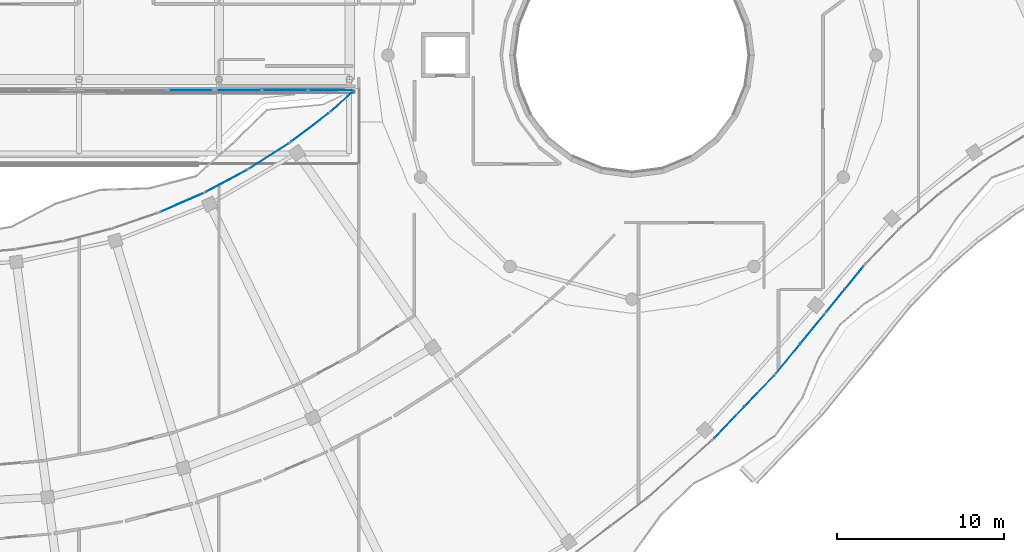
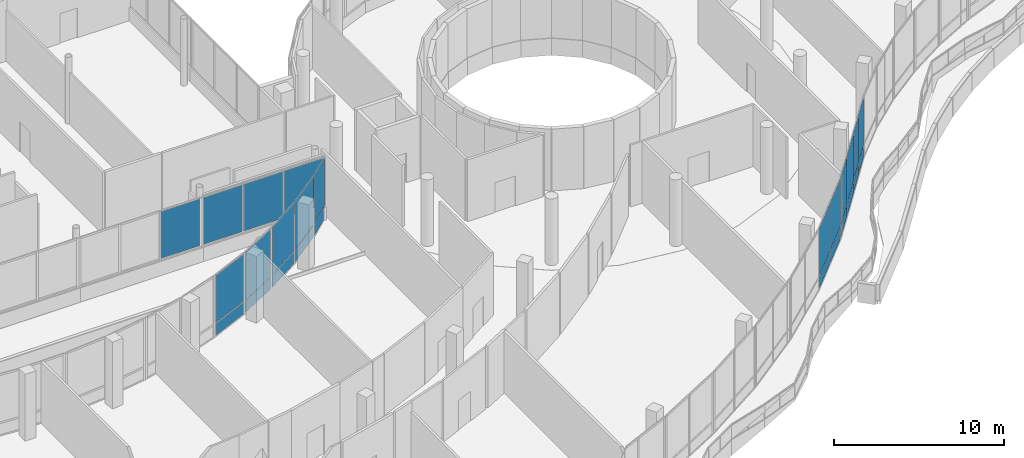
# One storey, part 128 of 168: 26 plates, 10 elements without a shape of their own.
"""IFC4 building model written with IfcOpenShell, lengths in metres."""

from ifc_helpers import new_model, si_unit, direction, frame, origin, origin_2d, place, context, subcontext, project, spatial, rectangle, extrude, material, layer, layer_set, type_object, element, aggregate, save


model = new_model("IFC4")

# Units and contexts
model_context = context("Model", 3, precision=1e-05, world=origin(), true_north=direction((0.0, 1.0)))
body_context = subcontext(model_context, "Body", "Model", "MODEL_VIEW")
ifc_project = project(units=[si_unit("LENGTHUNIT", "METRE"), si_unit("AREAUNIT", "SQUARE_METRE"), si_unit("VOLUMEUNIT", "CUBIC_METRE"), si_unit("PLANEANGLEUNIT", "RADIAN"), si_unit("MASSUNIT", "GRAM", prefix="KILO")], contexts=[model_context])

# Site, building, storey
site_placement = place(None, origin())
site = spatial("IfcSite", under=ifc_project, at=site_placement, CompositionType="ELEMENT")
building_placement = place(site_placement, origin())
building = spatial("IfcBuilding", under=site, at=building_placement, Name="Selatvlak General Hospital", CompositionType="ELEMENT")
storey_placement = place(building_placement, frame((0.0, 0.0, 5.39990234375)))
storey = spatial("IfcBuildingStorey", under=building, at=storey_placement, Name="L01", CompositionType="ELEMENT", Elevation=5.39990234375)

# Curtain wall, plates
ifc_material = material(Name="Solar-control Low-E double glazing", Category="glass")
curtain_wall_type_1 = type_object("IfcCurtainWallType", Name="CW-CW-01", PredefinedType="USERDEFINED", material=ifc_material)
curtain_wall_1_placement = place(storey_placement, origin())
curtain_wall_1 = element("IfcCurtainWall", 1, at=curtain_wall_1_placement, inside=storey, type_object=curtain_wall_type_1, Name="Glazed facade curtain wall CW-L01-0163", ObjectType="UNITISED CURTAIN WALL", PredefinedType="USERDEFINED")
ifc_layer = layer(ifc_material, 0.028076171875, Name="Solar-control Low-E double glazing", Category="glass")
ifc_layer_set = layer_set([ifc_layer], Name="Solar-control Low-E double glazing")
plate_type = type_object("IfcPlateType", Name="CWP-01", PredefinedType="CURTAIN_PANEL", material=ifc_layer_set)
plate_1_placement = place(storey_placement, frame((111.345458984375, 40.64013671875, 0.065185546875), z_axis=(0.0, 0.0, 1.0), x_axis=(-0.630334315986, -0.776323804924, 0.0)))
plate_1 = element("IfcPlate", 2, at=plate_1_placement, type_object=plate_type, Name="CW-01 panel 1.1", PredefinedType="CURTAIN_PANEL", context=body_context, shape_type="SweptSolid", body=[
    extrude(rectangle(XDim=1.724609375, YDim=0.028076171875, at=origin_2d()), origin(), (0.0, 0.0, 1.0), 0.8525390625),
])
plate_2_placement = place(storey_placement, frame((111.345458984375, 40.64013671875, 0.982666015625), z_axis=(0.0, 0.0, 1.0), x_axis=(-0.630334315986, -0.776323804924, 0.0)))
plate_2 = element("IfcPlate", 3, at=plate_2_placement, type_object=plate_type, Name="CW-01 panel 1.2", PredefinedType="CURTAIN_PANEL", context=body_context, shape_type="SweptSolid", body=[
    extrude(rectangle(XDim=1.724609375, YDim=0.028076171875, at=origin_2d()), origin(), (0.0, 0.0, 1.0), 3.3974609375),
])
plate_3_placement = place(storey_placement, frame((110.217529296875, 39.2509765625, 0.065185546875), z_axis=(0.0, 0.0, 1.0), x_axis=(-0.630334315986, -0.776323804924, 0.0)))
plate_3 = element("IfcPlate", 4, at=plate_3_placement, type_object=plate_type, Name="CW-01 panel 2.1", PredefinedType="CURTAIN_PANEL", context=body_context, shape_type="SweptSolid", body=[
    extrude(rectangle(XDim=1.724609375, YDim=0.028076171875, at=origin_2d()), origin(), (0.0, 0.0, 1.0), 0.8525390625),
])
plate_4_placement = place(storey_placement, frame((110.217529296875, 39.2509765625, 0.982666015625), z_axis=(0.0, 0.0, 1.0), x_axis=(-0.630334315986, -0.776323804924, 0.0)))
plate_4 = element("IfcPlate", 5, at=plate_4_placement, type_object=plate_type, Name="CW-01 panel 2.2", PredefinedType="CURTAIN_PANEL", context=body_context, shape_type="SweptSolid", body=[
    extrude(rectangle(XDim=1.724609375, YDim=0.028076171875, at=origin_2d()), origin(), (0.0, 0.0, 1.0), 3.3974609375),
])
aggregate(curtain_wall_1, [plate_1, plate_2, plate_3, plate_4])

curtain_wall_type_2 = type_object("IfcCurtainWallType", Name="CW-CW-02", PredefinedType="USERDEFINED", material=ifc_material)
curtain_wall_2_placement = place(storey_placement, origin())
curtain_wall_2 = element("IfcCurtainWall", 6, at=curtain_wall_2_placement, inside=storey, type_object=curtain_wall_type_2, Name="Glazed facade curtain wall CW-L01-0164", ObjectType="UNITISED CURTAIN WALL", PredefinedType="USERDEFINED")
plate_5_placement = place(storey_placement, frame((108.83251953125, 37.55126953125, 0.065185546875), z_axis=(0.0, 0.0, 1.0), x_axis=(-0.633447461018, -0.773785702976, 0.0)))
plate_5 = element("IfcPlate", 7, at=plate_5_placement, type_object=plate_type, Name="CW-02 panel 1.1", PredefinedType="CURTAIN_PANEL", context=body_context, shape_type="SweptSolid", body=[
    extrude(rectangle(XDim=2.23974609375, YDim=0.028076171875, at=origin_2d()), origin(), (0.0, 0.0, 1.0), 0.8525390625),
])
plate_6_placement = place(storey_placement, frame((108.83251953125, 37.55126953125, 0.982666015625), z_axis=(0.0, 0.0, 1.0), x_axis=(-0.633447461018, -0.773785702976, 0.0)))
plate_6 = element("IfcPlate", 8, at=plate_6_placement, type_object=plate_type, Name="CW-02 panel 1.2", PredefinedType="CURTAIN_PANEL", context=body_context, shape_type="SweptSolid", body=[
    extrude(rectangle(XDim=2.23974609375, YDim=0.028076171875, at=origin_2d()), origin(), (0.0, 0.0, 1.0), 3.3974609375),
])
plate_7_placement = place(storey_placement, frame((107.37255859375, 35.767822265625, 0.065185546875), z_axis=(0.0, 0.0, 1.0), x_axis=(-0.633447461018, -0.773785702976, 0.0)))
plate_7 = element("IfcPlate", 9, at=plate_7_placement, type_object=plate_type, Name="CW-02 panel 2.1", PredefinedType="CURTAIN_PANEL", context=body_context, shape_type="SweptSolid", body=[
    extrude(rectangle(XDim=2.23974609375, YDim=0.028076171875, at=origin_2d()), origin(), (0.0, 0.0, 1.0), 0.8525390625),
])
plate_8_placement = place(storey_placement, frame((107.37255859375, 35.767822265625, 0.982666015625), z_axis=(0.0, 0.0, 1.0), x_axis=(-0.633447461018, -0.773785702976, 0.0)))
plate_8 = element("IfcPlate", 10, at=plate_8_placement, type_object=plate_type, Name="CW-02 panel 2.2", PredefinedType="CURTAIN_PANEL", context=body_context, shape_type="SweptSolid", body=[
    extrude(rectangle(XDim=2.23974609375, YDim=0.028076171875, at=origin_2d()), origin(), (0.0, 0.0, 1.0), 3.3974609375),
])
aggregate(curtain_wall_2, [plate_5, plate_6, plate_7, plate_8])

curtain_wall_3_placement = place(storey_placement, origin())
curtain_wall_3 = element("IfcCurtainWall", 11, at=curtain_wall_3_placement, inside=storey, type_object=curtain_wall_type_1, Name="Glazed facade curtain wall CW-L01-0165", ObjectType="UNITISED CURTAIN WALL", PredefinedType="USERDEFINED")
plate_9_placement = place(storey_placement, frame((105.6435546875, 33.82470703125, 0.065185546875), z_axis=(0.0, 0.0, 1.0), x_axis=(-0.690943452785, -0.722908808256, 0.0)))
plate_9 = element("IfcPlate", 12, at=plate_9_placement, type_object=plate_type, Name="CW-01 panel 1.1", PredefinedType="CURTAIN_PANEL", context=body_context, shape_type="SweptSolid", body=[
    extrude(rectangle(XDim=2.5458984375, YDim=0.028076171875, at=origin_2d()), origin(), (0.0, 0.0, 1.0), 0.8525390625),
])
plate_10_placement = place(storey_placement, frame((105.6435546875, 33.82470703125, 0.982666015625), z_axis=(0.0, 0.0, 1.0), x_axis=(-0.690943452785, -0.722908808256, 0.0)))
plate_10 = element("IfcPlate", 13, at=plate_10_placement, type_object=plate_type, Name="CW-01 panel 1.2", PredefinedType="CURTAIN_PANEL", context=body_context, shape_type="SweptSolid", body=[
    extrude(rectangle(XDim=2.5458984375, YDim=0.028076171875, at=origin_2d()), origin(), (0.0, 0.0, 1.0), 3.3974609375),
])
plate_11_placement = place(storey_placement, frame((103.839599609375, 31.937255859375, 0.065185546875), z_axis=(0.0, 0.0, 1.0), x_axis=(-0.690943452785, -0.722908808256, 0.0)))
plate_11 = element("IfcPlate", 14, at=plate_11_placement, type_object=plate_type, Name="CW-01 panel 2.1", PredefinedType="CURTAIN_PANEL", context=body_context, shape_type="SweptSolid", body=[
    extrude(rectangle(XDim=2.5458984375, YDim=0.028076171875, at=origin_2d()), origin(), (0.0, 0.0, 1.0), 0.8525390625),
])
plate_12_placement = place(storey_placement, frame((103.839599609375, 31.937255859375, 0.982666015625), z_axis=(0.0, 0.0, 1.0), x_axis=(-0.690943452785, -0.722908808256, 0.0)))
plate_12 = element("IfcPlate", 15, at=plate_12_placement, type_object=plate_type, Name="CW-01 panel 2.2", PredefinedType="CURTAIN_PANEL", context=body_context, shape_type="SweptSolid", body=[
    extrude(rectangle(XDim=2.5458984375, YDim=0.028076171875, at=origin_2d()), origin(), (0.0, 0.0, 1.0), 3.3974609375),
])
aggregate(curtain_wall_3, [plate_9, plate_10, plate_11, plate_12])

curtain_wall_4_placement = place(storey_placement, origin())
curtain_wall_4 = element("IfcCurtainWall", 16, at=curtain_wall_4_placement, inside=storey, type_object=curtain_wall_type_1, Name="Glazed facade curtain wall CW-L01-0203", ObjectType="UNITISED CURTAIN WALL", PredefinedType="USERDEFINED")
plate_13_placement = place(storey_placement, frame((70.968994140625, 45.1494140625, 0.065185546875), z_axis=(0.0, 0.0, 1.0), x_axis=(0.916899961497, 0.399117101371, 0.0)))
plate_13 = element("IfcPlate", 17, at=plate_13_placement, type_object=plate_type, Name="CW-01 panel 1.1", PredefinedType="CURTAIN_PANEL", context=body_context, shape_type="SweptSolid", body=[
    extrude(rectangle(XDim=2.768798828125, YDim=0.028076171875, at=origin_2d()), origin(), (0.0, 0.0, 1.0), 0.8525390625),
])
plate_14_placement = place(storey_placement, frame((70.968994140625, 45.1494140625, 0.982666015625), z_axis=(0.0, 0.0, 1.0), x_axis=(0.916899961497, 0.399117101371, 0.0)))
plate_14 = element("IfcPlate", 18, at=plate_14_placement, type_object=plate_type, Name="CW-01 panel 1.2", PredefinedType="CURTAIN_PANEL", context=body_context, shape_type="SweptSolid", body=[
    extrude(rectangle(XDim=2.768798828125, YDim=0.028076171875, at=origin_2d()), origin(), (0.0, 0.0, 1.0), 3.3974609375),
])
aggregate(curtain_wall_4, [plate_13, plate_14])

curtain_wall_5_placement = place(storey_placement, origin())
curtain_wall_5 = element("IfcCurtainWall", 19, at=curtain_wall_5_placement, inside=storey, type_object=curtain_wall_type_2, Name="Glazed facade curtain wall CW-L01-0204", ObjectType="UNITISED CURTAIN WALL", PredefinedType="USERDEFINED")
plate_15_placement = place(storey_placement, frame((73.650390625, 46.447998046875, 0.065185546875), z_axis=(0.0, 0.0, 1.0), x_axis=(0.88248634372, 0.470338020096, 0.0)))
plate_15 = element("IfcPlate", 20, at=plate_15_placement, type_object=plate_type, Name="CW-02 panel 1.1", PredefinedType="CURTAIN_PANEL", context=body_context, shape_type="SweptSolid", body=[
    extrude(rectangle(XDim=2.7744140625, YDim=0.028076171875, at=origin_2d()), origin(), (0.0, 0.0, 1.0), 0.8525390625),
])
plate_16_placement = place(storey_placement, frame((73.650390625, 46.447998046875, 0.982666015625), z_axis=(0.0, 0.0, 1.0), x_axis=(0.88248634372, 0.470338020096, 0.0)))
plate_16 = element("IfcPlate", 21, at=plate_16_placement, type_object=plate_type, Name="CW-02 panel 1.2", PredefinedType="CURTAIN_PANEL", context=body_context, shape_type="SweptSolid", body=[
    extrude(rectangle(XDim=2.7744140625, YDim=0.028076171875, at=origin_2d()), origin(), (0.0, 0.0, 1.0), 3.3974609375),
])
aggregate(curtain_wall_5, [plate_15, plate_16])

curtain_wall_6_placement = place(storey_placement, origin())
curtain_wall_6 = element("IfcCurtainWall", 22, at=curtain_wall_6_placement, inside=storey, type_object=curtain_wall_type_1, Name="Glazed facade curtain wall CW-L01-0205", ObjectType="UNITISED CURTAIN WALL", PredefinedType="USERDEFINED")
plate_17_placement = place(storey_placement, frame((76.221435546875, 47.955078125, 0.065185546875), z_axis=(0.0, 0.0, 1.0), x_axis=(0.842196262178, 0.539171082287, 0.0)))
plate_17 = element("IfcPlate", 23, at=plate_17_placement, type_object=plate_type, Name="CW-01 panel 1.1", PredefinedType="CURTAIN_PANEL", context=body_context, shape_type="SweptSolid", body=[
    extrude(rectangle(XDim=2.770751953125, YDim=0.028076171875, at=origin_2d()), origin(), (0.0, 0.0, 1.0), 0.8525390625),
])
plate_18_placement = place(storey_placement, frame((76.221435546875, 47.955078125, 0.982666015625), z_axis=(0.0, 0.0, 1.0), x_axis=(0.842196262178, 0.539171082287, 0.0)))
plate_18 = element("IfcPlate", 24, at=plate_18_placement, type_object=plate_type, Name="CW-01 panel 1.2", PredefinedType="CURTAIN_PANEL", context=body_context, shape_type="SweptSolid", body=[
    extrude(rectangle(XDim=2.770751953125, YDim=0.028076171875, at=origin_2d()), origin(), (0.0, 0.0, 1.0), 3.3974609375),
])
aggregate(curtain_wall_6, [plate_17, plate_18])

curtain_wall_7_placement = place(storey_placement, origin())
curtain_wall_7 = element("IfcCurtainWall", 25, at=curtain_wall_7_placement, inside=storey, type_object=curtain_wall_type_2, Name="Glazed facade curtain wall CW-L01-0206", ObjectType="UNITISED CURTAIN WALL", PredefinedType="USERDEFINED")
plate_19_placement = place(storey_placement, frame((78.6630859375, 49.660400390625, 0.065185546875), z_axis=(0.0, 0.0, 1.0), x_axis=(0.796593922952, 0.604514782215, 0.0)))
plate_19 = element("IfcPlate", 26, at=plate_19_placement, type_object=plate_type, Name="CW-02 panel 1.1", PredefinedType="CURTAIN_PANEL", context=body_context, shape_type="SweptSolid", body=[
    extrude(rectangle(XDim=2.769775390625, YDim=0.028076171875, at=origin_2d()), origin(), (0.0, 0.0, 1.0), 0.8525390625),
])
plate_20_placement = place(storey_placement, frame((78.6630859375, 49.660400390625, 0.982666015625), z_axis=(0.0, 0.0, 1.0), x_axis=(0.796593922952, 0.604514782215, 0.0)))
plate_20 = element("IfcPlate", 27, at=plate_20_placement, type_object=plate_type, Name="CW-02 panel 1.2", PredefinedType="CURTAIN_PANEL", context=body_context, shape_type="SweptSolid", body=[
    extrude(rectangle(XDim=2.769775390625, YDim=0.028076171875, at=origin_2d()), origin(), (0.0, 0.0, 1.0), 3.3974609375),
])
aggregate(curtain_wall_7, [plate_19, plate_20])

curtain_wall_8_placement = place(storey_placement, origin())
curtain_wall_8 = element("IfcCurtainWall", 28, at=curtain_wall_8_placement, inside=storey, type_object=curtain_wall_type_1, Name="Glazed facade curtain wall CW-L01-0207", ObjectType="UNITISED CURTAIN WALL", PredefinedType="USERDEFINED")
plate_21_placement = place(storey_placement, frame((80.6044921875, 51.237060546875, 0.065185546875), z_axis=(0.0, 0.0, 1.0), x_axis=(0.746274747631, 0.665638040566, 0.0)))
plate_21 = element("IfcPlate", 29, at=plate_21_placement, type_object=plate_type, Name="CW-01 panel 1.1", PredefinedType="CURTAIN_PANEL", context=body_context, shape_type="SweptSolid", body=[
    extrude(rectangle(XDim=1.81689453125, YDim=0.028076171875, at=origin_2d()), origin(), (0.0, 0.0, 1.0), 0.8525390625),
])
plate_22_placement = place(storey_placement, frame((80.6044921875, 51.237060546875, 0.982666015625), z_axis=(0.0, 0.0, 1.0), x_axis=(0.746274747631, 0.665638040566, 0.0)))
plate_22 = element("IfcPlate", 30, at=plate_22_placement, type_object=plate_type, Name="CW-01 panel 1.2", PredefinedType="CURTAIN_PANEL", context=body_context, shape_type="SweptSolid", body=[
    extrude(rectangle(XDim=1.81689453125, YDim=0.028076171875, at=origin_2d()), origin(), (0.0, 0.0, 1.0), 3.3974609375),
])
aggregate(curtain_wall_8, [plate_21, plate_22])

curtain_wall_9_placement = place(storey_placement, origin())
curtain_wall_9 = element("IfcCurtainWall", 31, at=curtain_wall_9_placement, inside=storey, type_object=curtain_wall_type_1, Name="Glazed facade curtain wall CW-L01-0208", ObjectType="UNITISED CURTAIN WALL", PredefinedType="USERDEFINED")
plate_23_placement = place(storey_placement, frame((79.922119140625, 51.8974609375, 1.005126953125), z_axis=(0.0, 0.0, 1.0), x_axis=(-0.999998379485, 0.001800285137, 0.0)))
plate_23 = element("IfcPlate", 32, at=plate_23_placement, type_object=plate_type, Name="CW-01 panel 1.1", PredefinedType="CURTAIN_PANEL", context=body_context, shape_type="SweptSolid", body=[
    extrude(rectangle(XDim=2.679931640625, YDim=0.028076171875, at=origin_2d()), origin(), (0.0, 0.0, 1.0), 3.375),
])
plate_24_placement = place(storey_placement, frame((77.160888671875, 51.902587890625, 1.005126953125), z_axis=(0.0, 0.0, 1.0), x_axis=(-0.999998379485, 0.001800285137, 0.0)))
plate_24 = element("IfcPlate", 33, at=plate_24_placement, type_object=plate_type, Name="CW-01 panel 2.1", PredefinedType="CURTAIN_PANEL", context=body_context, shape_type="SweptSolid", body=[
    extrude(rectangle(XDim=2.71240234375, YDim=0.028076171875, at=origin_2d()), origin(), (0.0, 0.0, 1.0), 3.375),
])
plate_25_placement = place(storey_placement, frame((74.39990234375, 51.907470703125, 1.005126953125), z_axis=(0.0, 0.0, 1.0), x_axis=(-0.999998379485, 0.001800285137, 0.0)))
plate_25 = element("IfcPlate", 34, at=plate_25_placement, type_object=plate_type, Name="CW-01 panel 3.1", PredefinedType="CURTAIN_PANEL", context=body_context, shape_type="SweptSolid", body=[
    extrude(rectangle(XDim=2.679931640625, YDim=0.028076171875, at=origin_2d()), origin(), (0.0, 0.0, 1.0), 3.375),
])
aggregate(curtain_wall_9, [plate_23, plate_24, plate_25])

# Curtain wall, plate
curtain_wall_10_placement = place(storey_placement, origin())
curtain_wall_10 = element("IfcCurtainWall", 35, at=curtain_wall_10_placement, inside=storey, type_object=curtain_wall_type_2, Name="Glazed facade curtain wall CW-L01-0209", ObjectType="UNITISED CURTAIN WALL", PredefinedType="USERDEFINED")
plate_26_placement = place(storey_placement, frame((71.518310546875, 51.91259765625, 1.005126953125), z_axis=(0.0, 0.0, 1.0), x_axis=(-0.99999835986, 0.001811153756, 0.0)))
plate_26 = element("IfcPlate", 36, at=plate_26_placement, type_object=plate_type, Name="CW-02 panel 1.1", PredefinedType="CURTAIN_PANEL", context=body_context, shape_type="SweptSolid", body=[
    extrude(rectangle(XDim=2.6630859375, YDim=0.028076171875, at=origin_2d()), origin(), (0.0, 0.0, 1.0), 3.375),
])
aggregate(curtain_wall_10, [plate_26])

save(model, "model.ifc")
